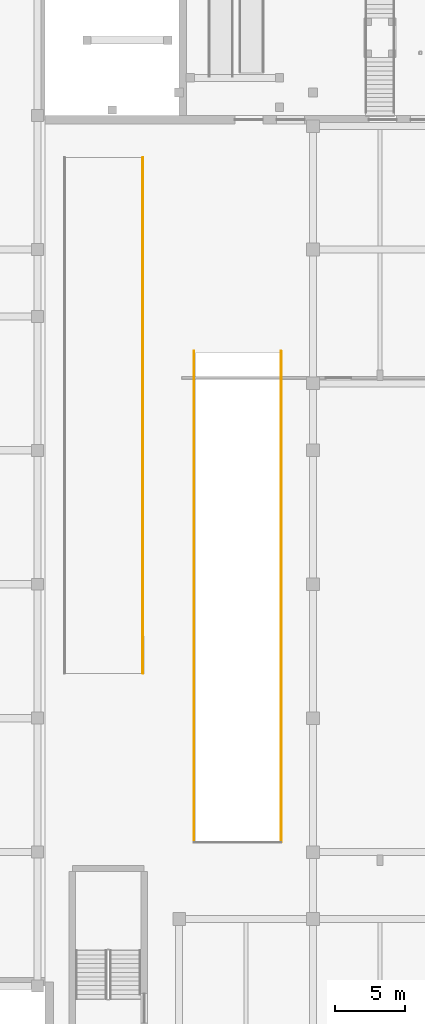
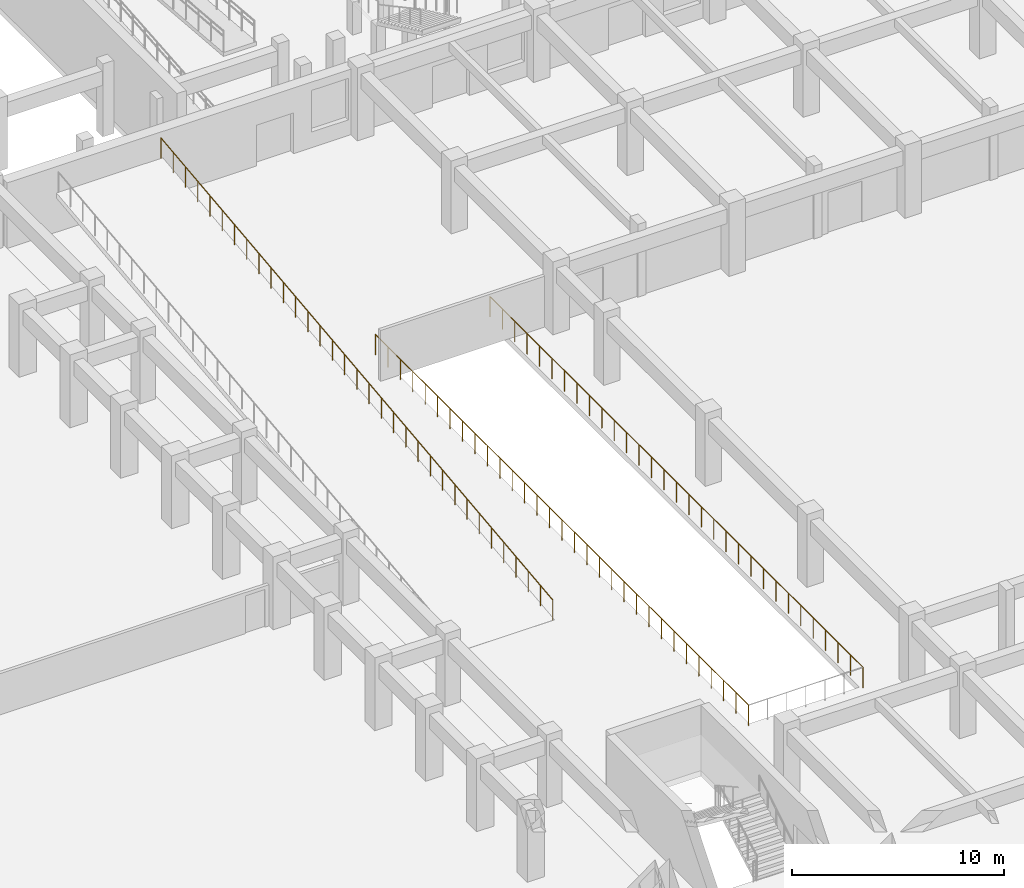
# One storey, part 30 of 39: 3 railings.
"""IFC4 building model written with IfcOpenShell, lengths in metres."""

from ifc_helpers import new_model, si_unit, direction, frame, origin, origin_2d, place, context, subcontext, project, spatial, circle, extrude, material, type_object, element, save


model = new_model("IFC4")

# Units and contexts
model_context = context("Model", 3, precision=1e-05, world=origin(), true_north=direction((0.0, 1.0)))
body_context = subcontext(model_context, "Body", "Model", "MODEL_VIEW")
ifc_project = project(units=[si_unit("LENGTHUNIT", "METRE"), si_unit("AREAUNIT", "SQUARE_METRE"), si_unit("VOLUMEUNIT", "CUBIC_METRE"), si_unit("PLANEANGLEUNIT", "RADIAN"), si_unit("MASSUNIT", "GRAM", prefix="KILO")], contexts=[model_context])

# Site, building, storey
site_placement = place(None, origin())
site = spatial("IfcSite", under=ifc_project, at=site_placement, CompositionType="ELEMENT")
building_placement = place(site_placement, origin())
building = spatial("IfcBuilding", under=site, at=building_placement, Name="Nakhvara Creek Congress Hotel", CompositionType="ELEMENT")
storey_placement = place(building_placement, frame((0.0, 0.0, -4.199951171875)))
storey = spatial("IfcBuildingStorey", under=building, at=storey_placement, Name="B1", CompositionType="ELEMENT", Elevation=-4.199951171875)

# Railings
ifc_material = material(Name="Brushed stainless steel 316L", Category="steel")
railing_type = type_object("IfcRailingType", Name="RL-GUARD-1200", PredefinedType="GUARDRAIL", material=ifc_material)
railing_1_placement = place(storey_placement, frame((68.280029296875, 43.8798828125, 0.0)))
element("IfcRailing", 1, at=railing_1_placement, inside=storey, type_object=railing_type, Name="Ramp Well Guard VR1-W", PredefinedType="GUARDRAIL", context=body_context, shape_type="SweptSolid", body=[
    extrude(circle(Radius=0.02392578125, at=origin_2d()), frame((0.0, 0.0146484375, 1.17578125), z_axis=(0.0, 1.0, 0.0), x_axis=(-1.0, 0.0, 0.0)), (0.0, 0.0, 1.0), 35.2109375),
    extrude(circle(Radius=0.02099609375, at=origin_2d()), origin(), (0.0, 0.0, 1.0), 1.1806640625),
    extrude(circle(Radius=0.02099609375, at=origin_2d()), frame((0.0, 1.174560546875, 0.0)), (0.0, 0.0, 1.0), 1.1806640625),
    extrude(circle(Radius=0.02099609375, at=origin_2d()), frame((0.0, 2.349365234375, 0.0)), (0.0, 0.0, 1.0), 1.1806640625),
    extrude(circle(Radius=0.02099609375, at=origin_2d()), frame((0.0, 3.52392578125, 0.0)), (0.0, 0.0, 1.0), 1.1806640625),
    extrude(circle(Radius=0.02099609375, at=origin_2d()), frame((0.0, 4.69873046875, 0.0)), (0.0, 0.0, 1.0), 1.1806640625),
    extrude(circle(Radius=0.02099609375, at=origin_2d()), frame((0.0, 5.873291015625, 0.0)), (0.0, 0.0, 1.0), 1.1806640625),
    extrude(circle(Radius=0.02099609375, at=origin_2d()), frame((0.0, 7.048095703125, 0.0)), (0.0, 0.0, 1.0), 1.1806640625),
    extrude(circle(Radius=0.02099609375, at=origin_2d()), frame((0.0, 8.22265625, 0.0)), (0.0, 0.0, 1.0), 1.1806640625),
    extrude(circle(Radius=0.02099609375, at=origin_2d()), frame((0.0, 9.3974609375, 0.0)), (0.0, 0.0, 1.0), 1.1806640625),
    extrude(circle(Radius=0.02099609375, at=origin_2d()), frame((0.0, 10.572021484375, 0.0)), (0.0, 0.0, 1.0), 1.1806640625),
    extrude(circle(Radius=0.02099609375, at=origin_2d()), frame((0.0, 11.746826171875, 0.0)), (0.0, 0.0, 1.0), 1.1806640625),
    extrude(circle(Radius=0.02099609375, at=origin_2d()), frame((0.0, 12.92138671875, 0.0)), (0.0, 0.0, 1.0), 1.1806640625),
    extrude(circle(Radius=0.02099609375, at=origin_2d()), frame((0.0, 14.09619140625, 0.0)), (0.0, 0.0, 1.0), 1.1806640625),
    extrude(circle(Radius=0.02099609375, at=origin_2d()), frame((0.0, 15.270751953125, 0.0)), (0.0, 0.0, 1.0), 1.1806640625),
    extrude(circle(Radius=0.02099609375, at=origin_2d()), frame((0.0, 16.445556640625, 0.0)), (0.0, 0.0, 1.0), 1.1806640625),
    extrude(circle(Radius=0.02099609375, at=origin_2d()), frame((0.0, 17.6201171875, 0.0)), (0.0, 0.0, 1.0), 1.1806640625),
    extrude(circle(Radius=0.02099609375, at=origin_2d()), frame((0.0, 18.794677734375, 0.0)), (0.0, 0.0, 1.0), 1.1806640625),
    extrude(circle(Radius=0.02099609375, at=origin_2d()), frame((0.0, 19.969482421875, 0.0)), (0.0, 0.0, 1.0), 1.1806640625),
    extrude(circle(Radius=0.02099609375, at=origin_2d()), frame((0.0, 21.14404296875, 0.0)), (0.0, 0.0, 1.0), 1.1806640625),
    extrude(circle(Radius=0.02099609375, at=origin_2d()), frame((0.0, 22.31884765625, 0.0)), (0.0, 0.0, 1.0), 1.1806640625),
    extrude(circle(Radius=0.02099609375, at=origin_2d()), frame((0.0, 23.493408203125, 0.0)), (0.0, 0.0, 1.0), 1.1806640625),
    extrude(circle(Radius=0.02099609375, at=origin_2d()), frame((0.0, 24.668212890625, 0.0)), (0.0, 0.0, 1.0), 1.1806640625),
    extrude(circle(Radius=0.02099609375, at=origin_2d()), frame((0.0, 25.8427734375, 0.0)), (0.0, 0.0, 1.0), 1.1806640625),
    extrude(circle(Radius=0.02099609375, at=origin_2d()), frame((0.0, 27.017578125, 0.0)), (0.0, 0.0, 1.0), 1.1806640625),
    extrude(circle(Radius=0.02099609375, at=origin_2d()), frame((0.0, 28.192138671875, 0.0)), (0.0, 0.0, 1.0), 1.1806640625),
    extrude(circle(Radius=0.02099609375, at=origin_2d()), frame((0.0, 29.366943359375, 0.0)), (0.0, 0.0, 1.0), 1.1806640625),
    extrude(circle(Radius=0.02099609375, at=origin_2d()), frame((0.0, 30.54150390625, 0.0)), (0.0, 0.0, 1.0), 1.1806640625),
    extrude(circle(Radius=0.02099609375, at=origin_2d()), frame((0.0, 31.71630859375, 0.0)), (0.0, 0.0, 1.0), 1.1806640625),
    extrude(circle(Radius=0.02099609375, at=origin_2d()), frame((0.0, 32.890869140625, 0.0)), (0.0, 0.0, 1.0), 1.1806640625),
    extrude(circle(Radius=0.02099609375, at=origin_2d()), frame((0.0, 34.065673828125, 0.0)), (0.0, 0.0, 1.0), 1.1806640625),
    extrude(circle(Radius=0.02099609375, at=origin_2d()), frame((0.0, 35.240234375, 0.0)), (0.0, 0.0, 1.0), 1.1806640625),
])
railing_2_placement = place(storey_placement, frame((74.52001953125, 43.8798828125, 0.0)))
element("IfcRailing", 2, at=railing_2_placement, inside=storey, type_object=railing_type, Name="Ramp Well Guard VR1-E", PredefinedType="GUARDRAIL", context=body_context, shape_type="SweptSolid", body=[
    extrude(circle(Radius=0.02392578125, at=origin_2d()), frame((0.0, 0.0146484375, 1.17578125), z_axis=(0.0, 1.0, 0.0), x_axis=(-1.0, 0.0, 0.0)), (0.0, 0.0, 1.0), 35.2109375),
    extrude(circle(Radius=0.02099609375, at=origin_2d()), origin(), (0.0, 0.0, 1.0), 1.1806640625),
    extrude(circle(Radius=0.02099609375, at=origin_2d()), frame((0.0, 1.174560546875, 0.0)), (0.0, 0.0, 1.0), 1.1806640625),
    extrude(circle(Radius=0.02099609375, at=origin_2d()), frame((0.0, 2.349365234375, 0.0)), (0.0, 0.0, 1.0), 1.1806640625),
    extrude(circle(Radius=0.02099609375, at=origin_2d()), frame((0.0, 3.52392578125, 0.0)), (0.0, 0.0, 1.0), 1.1806640625),
    extrude(circle(Radius=0.02099609375, at=origin_2d()), frame((0.0, 4.69873046875, 0.0)), (0.0, 0.0, 1.0), 1.1806640625),
    extrude(circle(Radius=0.02099609375, at=origin_2d()), frame((0.0, 5.873291015625, 0.0)), (0.0, 0.0, 1.0), 1.1806640625),
    extrude(circle(Radius=0.02099609375, at=origin_2d()), frame((0.0, 7.048095703125, 0.0)), (0.0, 0.0, 1.0), 1.1806640625),
    extrude(circle(Radius=0.02099609375, at=origin_2d()), frame((0.0, 8.22265625, 0.0)), (0.0, 0.0, 1.0), 1.1806640625),
    extrude(circle(Radius=0.02099609375, at=origin_2d()), frame((0.0, 9.3974609375, 0.0)), (0.0, 0.0, 1.0), 1.1806640625),
    extrude(circle(Radius=0.02099609375, at=origin_2d()), frame((0.0, 10.572021484375, 0.0)), (0.0, 0.0, 1.0), 1.1806640625),
    extrude(circle(Radius=0.02099609375, at=origin_2d()), frame((0.0, 11.746826171875, 0.0)), (0.0, 0.0, 1.0), 1.1806640625),
    extrude(circle(Radius=0.02099609375, at=origin_2d()), frame((0.0, 12.92138671875, 0.0)), (0.0, 0.0, 1.0), 1.1806640625),
    extrude(circle(Radius=0.02099609375, at=origin_2d()), frame((0.0, 14.09619140625, 0.0)), (0.0, 0.0, 1.0), 1.1806640625),
    extrude(circle(Radius=0.02099609375, at=origin_2d()), frame((0.0, 15.270751953125, 0.0)), (0.0, 0.0, 1.0), 1.1806640625),
    extrude(circle(Radius=0.02099609375, at=origin_2d()), frame((0.0, 16.445556640625, 0.0)), (0.0, 0.0, 1.0), 1.1806640625),
    extrude(circle(Radius=0.02099609375, at=origin_2d()), frame((0.0, 17.6201171875, 0.0)), (0.0, 0.0, 1.0), 1.1806640625),
    extrude(circle(Radius=0.02099609375, at=origin_2d()), frame((0.0, 18.794677734375, 0.0)), (0.0, 0.0, 1.0), 1.1806640625),
    extrude(circle(Radius=0.02099609375, at=origin_2d()), frame((0.0, 19.969482421875, 0.0)), (0.0, 0.0, 1.0), 1.1806640625),
    extrude(circle(Radius=0.02099609375, at=origin_2d()), frame((0.0, 21.14404296875, 0.0)), (0.0, 0.0, 1.0), 1.1806640625),
    extrude(circle(Radius=0.02099609375, at=origin_2d()), frame((0.0, 22.31884765625, 0.0)), (0.0, 0.0, 1.0), 1.1806640625),
    extrude(circle(Radius=0.02099609375, at=origin_2d()), frame((0.0, 23.493408203125, 0.0)), (0.0, 0.0, 1.0), 1.1806640625),
    extrude(circle(Radius=0.02099609375, at=origin_2d()), frame((0.0, 24.668212890625, 0.0)), (0.0, 0.0, 1.0), 1.1806640625),
    extrude(circle(Radius=0.02099609375, at=origin_2d()), frame((0.0, 25.8427734375, 0.0)), (0.0, 0.0, 1.0), 1.1806640625),
    extrude(circle(Radius=0.02099609375, at=origin_2d()), frame((0.0, 27.017578125, 0.0)), (0.0, 0.0, 1.0), 1.1806640625),
    extrude(circle(Radius=0.02099609375, at=origin_2d()), frame((0.0, 28.192138671875, 0.0)), (0.0, 0.0, 1.0), 1.1806640625),
    extrude(circle(Radius=0.02099609375, at=origin_2d()), frame((0.0, 29.366943359375, 0.0)), (0.0, 0.0, 1.0), 1.1806640625),
    extrude(circle(Radius=0.02099609375, at=origin_2d()), frame((0.0, 30.54150390625, 0.0)), (0.0, 0.0, 1.0), 1.1806640625),
    extrude(circle(Radius=0.02099609375, at=origin_2d()), frame((0.0, 31.71630859375, 0.0)), (0.0, 0.0, 1.0), 1.1806640625),
    extrude(circle(Radius=0.02099609375, at=origin_2d()), frame((0.0, 32.890869140625, 0.0)), (0.0, 0.0, 1.0), 1.1806640625),
    extrude(circle(Radius=0.02099609375, at=origin_2d()), frame((0.0, 34.065673828125, 0.0)), (0.0, 0.0, 1.0), 1.1806640625),
    extrude(circle(Radius=0.02099609375, at=origin_2d()), frame((0.0, 35.240234375, 0.0)), (0.0, 0.0, 1.0), 1.1806640625),
])
railing_3_placement = place(storey_placement, frame((64.60009765625, 56.0, 0.0)))
element("IfcRailing", 3, at=railing_3_placement, inside=storey, type_object=railing_type, Name="Ramp Kerb Guard VR2-E", PredefinedType="GUARDRAIL", context=body_context, shape_type="SweptSolid", body=[
    extrude(circle(Radius=0.02392578125, at=origin_2d()), frame((0.0, 0.0146484375, 1.177490234375), z_axis=(0.0, 0.993619088755, 0.1127878826), x_axis=(-1.0, 0.0, 0.0)), (0.0, 0.0, 1.0), 37.208251953125),
    extrude(circle(Radius=0.02099609375, at=origin_2d()), origin(), (0.0, 0.0, 1.0), 1.1806640625),
    extrude(circle(Radius=0.02099609375, at=origin_2d()), frame((0.0, 1.15625, 0.13134765625)), (0.0, 0.0, 1.0), 1.1806640625),
    extrude(circle(Radius=0.02099609375, at=origin_2d()), frame((0.0, 2.3125, 0.262451171875)), (0.0, 0.0, 1.0), 1.1806640625),
    extrude(circle(Radius=0.02099609375, at=origin_2d()), frame((0.0, 3.46875, 0.393798828125)), (0.0, 0.0, 1.0), 1.1806640625),
    extrude(circle(Radius=0.02099609375, at=origin_2d()), frame((0.0, 4.625, 0.52490234375)), (0.0, 0.0, 1.0), 1.1806640625),
    extrude(circle(Radius=0.02099609375, at=origin_2d()), frame((0.0, 5.78125, 0.65625)), (0.0, 0.0, 1.0), 1.1806640625),
    extrude(circle(Radius=0.02099609375, at=origin_2d()), frame((0.0, 6.9375, 0.78759765625)), (0.0, 0.0, 1.0), 1.1806640625),
    extrude(circle(Radius=0.02099609375, at=origin_2d()), frame((0.0, 8.09375, 0.918701171875)), (0.0, 0.0, 1.0), 1.1806640625),
    extrude(circle(Radius=0.02099609375, at=origin_2d()), frame((0.0, 9.25, 1.050048828125)), (0.0, 0.0, 1.0), 1.1806640625),
    extrude(circle(Radius=0.02099609375, at=origin_2d()), frame((0.0, 10.40625, 1.18115234375)), (0.0, 0.0, 1.0), 1.1806640625),
    extrude(circle(Radius=0.02099609375, at=origin_2d()), frame((0.0, 11.5625, 1.3125)), (0.0, 0.0, 1.0), 1.1806640625),
    extrude(circle(Radius=0.02099609375, at=origin_2d()), frame((0.0, 12.71875, 1.44384765625)), (0.0, 0.0, 1.0), 1.1806640625),
    extrude(circle(Radius=0.02099609375, at=origin_2d()), frame((0.0, 13.875, 1.574951171875)), (0.0, 0.0, 1.0), 1.1806640625),
    extrude(circle(Radius=0.02099609375, at=origin_2d()), frame((0.0, 15.03125, 1.706298828125)), (0.0, 0.0, 1.0), 1.1806640625),
    extrude(circle(Radius=0.02099609375, at=origin_2d()), frame((0.0, 16.1875, 1.83740234375)), (0.0, 0.0, 1.0), 1.1806640625),
    extrude(circle(Radius=0.02099609375, at=origin_2d()), frame((0.0, 17.34375, 1.96875)), (0.0, 0.0, 1.0), 1.1806640625),
    extrude(circle(Radius=0.02099609375, at=origin_2d()), frame((0.0, 18.5, 2.10009765625)), (0.0, 0.0, 1.0), 1.1806640625),
    extrude(circle(Radius=0.02099609375, at=origin_2d()), frame((0.0, 19.65625, 2.231201171875)), (0.0, 0.0, 1.0), 1.1806640625),
    extrude(circle(Radius=0.02099609375, at=origin_2d()), frame((0.0, 20.8125, 2.362548828125)), (0.0, 0.0, 1.0), 1.1806640625),
    extrude(circle(Radius=0.02099609375, at=origin_2d()), frame((0.0, 21.96875, 2.49365234375)), (0.0, 0.0, 1.0), 1.1806640625),
    extrude(circle(Radius=0.02099609375, at=origin_2d()), frame((0.0, 23.125, 2.625)), (0.0, 0.0, 1.0), 1.1806640625),
    extrude(circle(Radius=0.02099609375, at=origin_2d()), frame((0.0, 24.28125, 2.756103515625)), (0.0, 0.0, 1.0), 1.1806640625),
    extrude(circle(Radius=0.02099609375, at=origin_2d()), frame((0.0, 25.4375, 2.887451171875)), (0.0, 0.0, 1.0), 1.1806640625),
    extrude(circle(Radius=0.02099609375, at=origin_2d()), frame((0.0, 26.59375, 3.018798828125)), (0.0, 0.0, 1.0), 1.1806640625),
    extrude(circle(Radius=0.02099609375, at=origin_2d()), frame((0.0, 27.75, 3.14990234375)), (0.0, 0.0, 1.0), 1.1806640625),
    extrude(circle(Radius=0.02099609375, at=origin_2d()), frame((0.0, 28.90625, 3.28125)), (0.0, 0.0, 1.0), 1.1806640625),
    extrude(circle(Radius=0.02099609375, at=origin_2d()), frame((0.0, 30.0625, 3.412353515625)), (0.0, 0.0, 1.0), 1.1806640625),
    extrude(circle(Radius=0.02099609375, at=origin_2d()), frame((0.0, 31.21875, 3.543701171875)), (0.0, 0.0, 1.0), 1.1806640625),
    extrude(circle(Radius=0.02099609375, at=origin_2d()), frame((0.0, 32.375, 3.675048828125)), (0.0, 0.0, 1.0), 1.1806640625),
    extrude(circle(Radius=0.02099609375, at=origin_2d()), frame((0.0, 33.53125, 3.80615234375)), (0.0, 0.0, 1.0), 1.1806640625),
    extrude(circle(Radius=0.02099609375, at=origin_2d()), frame((0.0, 34.6875, 3.9375)), (0.0, 0.0, 1.0), 1.1806640625),
    extrude(circle(Radius=0.02099609375, at=origin_2d()), frame((0.0, 35.84375, 4.068603515625)), (0.0, 0.0, 1.0), 1.1806640625),
    extrude(circle(Radius=0.02099609375, at=origin_2d()), frame((0.0, 37.0, 4.199951171875)), (0.0, 0.0, 1.0), 1.1806640625),
])

save(model, "model.ifc")
